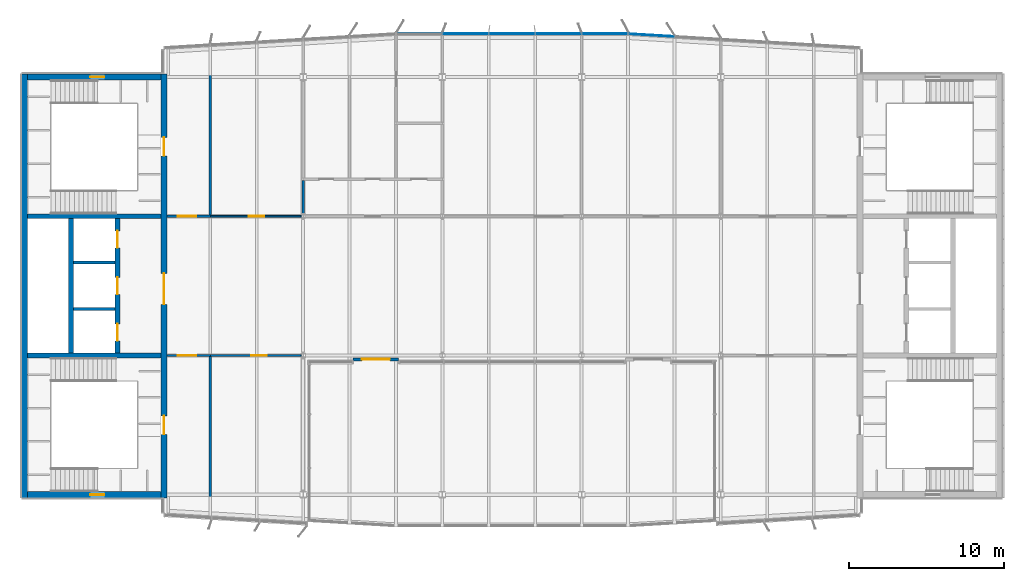
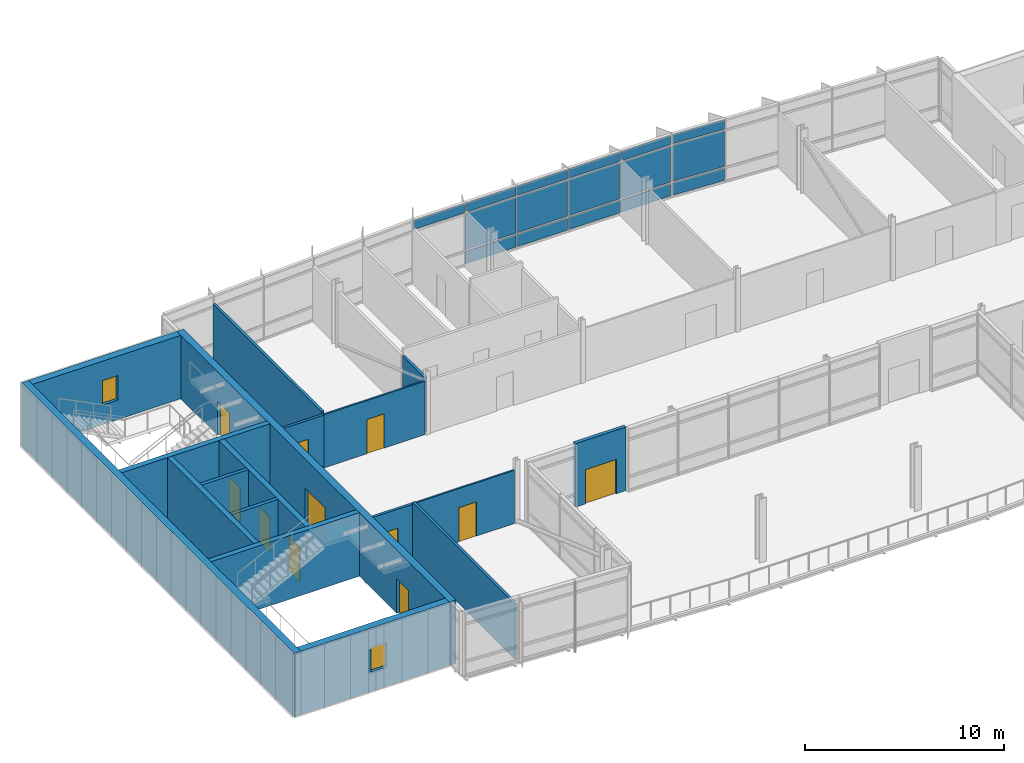
# One storey, part 12 of 19: 18 walls, 16 plates, 11 doors, 2 windows, 13 openings, 2 elements without a shape of their own.
"""IFC4 building model written with IfcOpenShell, lengths in metres."""

from ifc_helpers import new_model, si_unit, direction, frame, frame_2d, origin, origin_2d, place, context, subcontext, project, spatial, rectangle, extrude, material, layer, layer_set, type_object, element, fill, aggregate, save


model = new_model("IFC4")

# Units and contexts
model_context = context("Model", 3, precision=1e-05, world=origin(), true_north=direction((0.0, 1.0)))
body_context = subcontext(model_context, "Body", "Model", "MODEL_VIEW")
ifc_project = project(units=[si_unit("LENGTHUNIT", "METRE"), si_unit("AREAUNIT", "SQUARE_METRE"), si_unit("VOLUMEUNIT", "CUBIC_METRE"), si_unit("PLANEANGLEUNIT", "RADIAN"), si_unit("MASSUNIT", "GRAM", prefix="KILO")], contexts=[model_context])

# Site, building, storey
site_placement = place(None, origin())
site = spatial("IfcSite", under=ifc_project, at=site_placement, CompositionType="ELEMENT")
building_placement = place(site_placement, origin())
building = spatial("IfcBuilding", under=site, at=building_placement, Name="Azimuth Sports and Learning Centre", CompositionType="ELEMENT")
storey_placement = place(building_placement, frame((0.0, 0.0, 67.5)))
storey = spatial("IfcBuildingStorey", under=building, at=storey_placement, Name="L15", CompositionType="ELEMENT", Elevation=67.5)

# Curtain wall, plates
ifc_material_1 = material(Name="Aluminium and glass", Category="aluminium")
curtain_wall_type = type_object("IfcCurtainWallType", Name="Curtain wall tower north 180", PredefinedType="NOTDEFINED", material=ifc_material_1)
curtain_wall_1_placement = place(storey_placement, origin())
curtain_wall_1 = element("IfcCurtainWall", 1, at=curtain_wall_1_placement, inside=storey, type_object=curtain_wall_type, Name="Curtain wall CW15-011", PredefinedType="NOTDEFINED")
ifc_material_2 = material(Name="Insulated aluminium panel", Category="aluminium")
ifc_layer_1 = layer(ifc_material_2, 0.050048828125)
ifc_layer_set_1 = layer_set([ifc_layer_1], Name="Insulated aluminium panel")
plate_type_1 = type_object("IfcPlateType", Name="Spandrel panel 50 mm", PredefinedType="CURTAIN_PANEL", material=ifc_layer_set_1)
plate_1_placement = place(storey_placement, frame((94.520263671875, 119.698974609375, 0.10009765625), z_axis=(0.0, 0.0, 1.0), x_axis=(-0.998204863401, 0.059891991812, 0.0)))
plate_1 = element("IfcPlate", 2, at=plate_1_placement, type_object=plate_type_1, Name="CW15-011 panel 5.1", PredefinedType="CURTAIN_PANEL", context=body_context, shape_type="SweptSolid", body=[
    extrude(rectangle(XDim=2.915283203125, YDim=0.050048828125, at=origin_2d()), origin(), (0.0, 0.0, 1.0), 0.75),
])
plate_2_placement = place(storey_placement, frame((94.520263671875, 119.698974609375, 3.25), z_axis=(0.0, 0.0, 1.0), x_axis=(-0.998204863401, 0.059891991812, 0.0)))
plate_2 = element("IfcPlate", 3, at=plate_2_placement, type_object=plate_type_1, Name="CW15-011 panel 5.3", PredefinedType="CURTAIN_PANEL", context=body_context, shape_type="SweptSolid", body=[
    extrude(rectangle(XDim=2.915283203125, YDim=0.050048828125, at=origin_2d()), origin(), (0.0, 0.0, 1.0), 0.550048828125),
])

curtain_wall_2_placement = place(storey_placement, origin())
curtain_wall_2 = element("IfcCurtainWall", 4, at=curtain_wall_2_placement, inside=storey, type_object=curtain_wall_type, Name="Curtain wall CW15-012", PredefinedType="NOTDEFINED")
plate_3_placement = place(storey_placement, frame((91.48779296875, 119.7900390625, 0.10009765625), z_axis=(0.0, 0.0, 1.0), x_axis=(-1.0, 0.0, 0.0)))
plate_3 = element("IfcPlate", 5, at=plate_3_placement, type_object=plate_type_1, Name="CW15-012 panel 1.1", PredefinedType="CURTAIN_PANEL", context=body_context, shape_type="SweptSolid", body=[
    extrude(rectangle(XDim=2.915283203125, YDim=0.050048828125, at=origin_2d()), origin(), (0.0, 0.0, 1.0), 0.75),
])
plate_4_placement = place(storey_placement, frame((91.48779296875, 119.7900390625, 3.25), z_axis=(0.0, 0.0, 1.0), x_axis=(-1.0, 0.0, 0.0)))
plate_4 = element("IfcPlate", 6, at=plate_4_placement, type_object=plate_type_1, Name="CW15-012 panel 1.3", PredefinedType="CURTAIN_PANEL", context=body_context, shape_type="SweptSolid", body=[
    extrude(rectangle(XDim=2.915283203125, YDim=0.050048828125, at=origin_2d()), origin(), (0.0, 0.0, 1.0), 0.550048828125),
])
plate_5_placement = place(storey_placement, frame((88.5, 119.7900390625, 0.10009765625), z_axis=(0.0, 0.0, 1.0), x_axis=(-1.0, 0.0, 0.0)))
plate_5 = element("IfcPlate", 7, at=plate_5_placement, type_object=plate_type_1, Name="CW15-012 panel 2.1", PredefinedType="CURTAIN_PANEL", context=body_context, shape_type="SweptSolid", body=[
    extrude(rectangle(XDim=2.93994140625, YDim=0.050048828125, at=origin_2d()), origin(), (0.0, 0.0, 1.0), 0.75),
])
plate_6_placement = place(storey_placement, frame((88.5, 119.7900390625, 3.25), z_axis=(0.0, 0.0, 1.0), x_axis=(-1.0, 0.0, 0.0)))
plate_6 = element("IfcPlate", 8, at=plate_6_placement, type_object=plate_type_1, Name="CW15-012 panel 2.3", PredefinedType="CURTAIN_PANEL", context=body_context, shape_type="SweptSolid", body=[
    extrude(rectangle(XDim=2.93994140625, YDim=0.050048828125, at=origin_2d()), origin(), (0.0, 0.0, 1.0), 0.550048828125),
])
plate_7_placement = place(storey_placement, frame((85.5, 119.7900390625, 0.10009765625), z_axis=(0.0, 0.0, 1.0), x_axis=(-1.0, 0.0, 0.0)))
plate_7 = element("IfcPlate", 9, at=plate_7_placement, type_object=plate_type_1, Name="CW15-012 panel 3.1", PredefinedType="CURTAIN_PANEL", context=body_context, shape_type="SweptSolid", body=[
    extrude(rectangle(XDim=2.93994140625, YDim=0.050048828125, at=origin_2d()), origin(), (0.0, 0.0, 1.0), 0.75),
])
plate_8_placement = place(storey_placement, frame((85.5, 119.7900390625, 3.25), z_axis=(0.0, 0.0, 1.0), x_axis=(-1.0, 0.0, 0.0)))
plate_8 = element("IfcPlate", 10, at=plate_8_placement, type_object=plate_type_1, Name="CW15-012 panel 3.3", PredefinedType="CURTAIN_PANEL", context=body_context, shape_type="SweptSolid", body=[
    extrude(rectangle(XDim=2.93994140625, YDim=0.050048828125, at=origin_2d()), origin(), (0.0, 0.0, 1.0), 0.550048828125),
])
plate_9_placement = place(storey_placement, frame((82.5, 119.7900390625, 0.10009765625), z_axis=(0.0, 0.0, 1.0), x_axis=(-1.0, 0.0, 0.0)))
plate_9 = element("IfcPlate", 11, at=plate_9_placement, type_object=plate_type_1, Name="CW15-012 panel 4.1", PredefinedType="CURTAIN_PANEL", context=body_context, shape_type="SweptSolid", body=[
    extrude(rectangle(XDim=2.93994140625, YDim=0.050048828125, at=origin_2d()), origin(), (0.0, 0.0, 1.0), 0.75),
])
plate_10_placement = place(storey_placement, frame((82.5, 119.7900390625, 3.25), z_axis=(0.0, 0.0, 1.0), x_axis=(-1.0, 0.0, 0.0)))
plate_10 = element("IfcPlate", 12, at=plate_10_placement, type_object=plate_type_1, Name="CW15-012 panel 4.3", PredefinedType="CURTAIN_PANEL", context=body_context, shape_type="SweptSolid", body=[
    extrude(rectangle(XDim=2.93994140625, YDim=0.050048828125, at=origin_2d()), origin(), (0.0, 0.0, 1.0), 0.550048828125),
])
plate_11_placement = place(storey_placement, frame((79.514892578125, 119.7900390625, 3.25), z_axis=(0.0, 0.0, 1.0), x_axis=(-1.0, 0.0, 0.0)))
plate_11 = element("IfcPlate", 13, at=plate_11_placement, type_object=plate_type_1, Name="CW15-012 panel 5.3", PredefinedType="CURTAIN_PANEL", context=body_context, shape_type="SweptSolid", body=[
    extrude(rectangle(XDim=2.909912109375, YDim=0.050048828125, at=origin_2d()), origin(), (0.0, 0.0, 1.0), 0.550048828125),
])

# Plate
ifc_material_3 = material(Name="Glass", Category="glass")
ifc_layer_2 = layer(ifc_material_3, 0.031982421875)
ifc_layer_set_2 = layer_set([ifc_layer_2], Name="Glass")
plate_type_2 = type_object("IfcPlateType", Name="Vision glass 32 mm", PredefinedType="CURTAIN_PANEL", material=ifc_layer_set_2)
plate_12_placement = place(storey_placement, frame((94.520263671875, 119.698974609375, 0.9501953125), z_axis=(0.0, 0.0, 1.0), x_axis=(-0.998204863401, 0.059891991812, 0.0)))
plate_12 = element("IfcPlate", 14, at=plate_12_placement, type_object=plate_type_2, Name="CW15-011 panel 5.2", PredefinedType="CURTAIN_PANEL", context=body_context, shape_type="SweptSolid", body=[
    extrude(rectangle(XDim=2.915283203125, YDim=0.031982421875, at=origin_2d()), origin(), (0.0, 0.0, 1.0), 2.199951171875),
])

aggregate(curtain_wall_1, [plate_1, plate_12, plate_2])

plate_13_placement = place(storey_placement, frame((91.48779296875, 119.7900390625, 0.9501953125), z_axis=(0.0, 0.0, 1.0), x_axis=(-1.0, 0.0, 0.0)))
plate_13 = element("IfcPlate", 15, at=plate_13_placement, type_object=plate_type_2, Name="CW15-012 panel 1.2", PredefinedType="CURTAIN_PANEL", context=body_context, shape_type="SweptSolid", body=[
    extrude(rectangle(XDim=2.915283203125, YDim=0.031982421875, at=origin_2d()), origin(), (0.0, 0.0, 1.0), 2.199951171875),
])

plate_14_placement = place(storey_placement, frame((88.5, 119.7900390625, 0.9501953125), z_axis=(0.0, 0.0, 1.0), x_axis=(-1.0, 0.0, 0.0)))
plate_14 = element("IfcPlate", 16, at=plate_14_placement, type_object=plate_type_2, Name="CW15-012 panel 2.2", PredefinedType="CURTAIN_PANEL", context=body_context, shape_type="SweptSolid", body=[
    extrude(rectangle(XDim=2.93994140625, YDim=0.031982421875, at=origin_2d()), origin(), (0.0, 0.0, 1.0), 2.199951171875),
])

plate_15_placement = place(storey_placement, frame((85.5, 119.7900390625, 0.9501953125), z_axis=(0.0, 0.0, 1.0), x_axis=(-1.0, 0.0, 0.0)))
plate_15 = element("IfcPlate", 17, at=plate_15_placement, type_object=plate_type_2, Name="CW15-012 panel 3.2", PredefinedType="CURTAIN_PANEL", context=body_context, shape_type="SweptSolid", body=[
    extrude(rectangle(XDim=2.93994140625, YDim=0.031982421875, at=origin_2d()), origin(), (0.0, 0.0, 1.0), 2.199951171875),
])

plate_16_placement = place(storey_placement, frame((82.5, 119.7900390625, 0.9501953125), z_axis=(0.0, 0.0, 1.0), x_axis=(-1.0, 0.0, 0.0)))
plate_16 = element("IfcPlate", 18, at=plate_16_placement, type_object=plate_type_2, Name="CW15-012 panel 4.2", PredefinedType="CURTAIN_PANEL", context=body_context, shape_type="SweptSolid", body=[
    extrude(rectangle(XDim=2.93994140625, YDim=0.031982421875, at=origin_2d()), origin(), (0.0, 0.0, 1.0), 2.199951171875),
])

aggregate(curtain_wall_2, [plate_3, plate_13, plate_4, plate_5, plate_14, plate_6, plate_7, plate_15, plate_8, plate_9, plate_16, plate_10, plate_11])

# Walls
ifc_material_4 = material(Name="Dense masonry blockwork", Category="masonry")
ifc_layer_3 = layer(ifc_material_4, 0.199951171875)
ifc_layer_set_3 = layer_set([ifc_layer_3], Name="Dense masonry blockwork")
wall_type_1 = type_object("IfcWallType", Name="Blockwork wall 200 EI 120", PredefinedType="SOLIDWALL", material=ifc_layer_set_3)
for number, where, z_axis, x_axis, name in (
    (19, (57.14990234375, 102.0, 0.0), (0.0, 0.0, 1.0), (1.0, 0.0, 0.0), "SD-W-1-L15"),
    (20, (57.14990234375, 105.0, 0.0), (0.0, 0.0, 1.0), (1.0, 0.0, 0.0), "SD-W-2-L15"),
):
    element("IfcWall", number, at=place(storey_placement, frame(where, z_axis=z_axis, x_axis=x_axis)), inside=storey, type_object=wall_type_1, Name=name, PredefinedType="SOLIDWALL", context=body_context, shape_type="SweptSolid", body=[
        extrude(rectangle(XDim=2.7001953125, YDim=0.199951171875, at=frame_2d((1.35009765625, 0.0))), origin(), (0.0, 0.0, 1.0), 3.89990234375),
    ])

# Wall, opening, door
ifc_material_5 = material(Name="Insulated cladding wall")
ifc_layer_4 = layer(ifc_material_5, 0.199951171875)
ifc_layer_set_4 = layer_set([ifc_layer_4], Name="Insulated cladding wall")
wall_type_2 = type_object("IfcWallType", Name="Entrance wall 200", PredefinedType="SOLIDWALL", material=ifc_layer_set_4)
wall_1_placement = place(storey_placement, frame((75.2333984375, 98.75, 0.0), z_axis=(0.0, 0.0, 1.0), x_axis=(1.0, 0.0, 0.0)))
wall_1 = element("IfcWall", 21, at=wall_1_placement, inside=storey, type_object=wall_type_2, Name="Entrance wall S-COURT-B L15", PredefinedType="SOLIDWALL", context=body_context, shape_type="SweptSolid", body=[
    extrude(rectangle(XDim=2.933349609375, YDim=0.199951171875, at=frame_2d((1.466796875, 0.0))), origin(), (0.0, 0.0, 1.0), 3.89990234375),
])
opening_1_placement = place(wall_1_placement, frame((0.566650390625, 0.0, 0.0)))
opening_1 = element("IfcOpeningElement", 22, at=opening_1_placement, cuts=wall_1, Name="Opening D15-001", PredefinedType="OPENING", context=body_context, shape_type="SweptSolid", body=[
    extrude(rectangle(XDim=1.800048828125, YDim=2.10009765625, at=frame_2d((0.89990234375, 1.050048828125))), frame((0.0, 0.11083984375, 0.0), z_axis=(0.0, -1.0, 0.0), x_axis=(1.0, 0.0, 0.0)), (0.0, 0.0, 1.0), 0.221923828125),
])
ifc_material_6 = material(Name="Aluminium and glass", Category="aluminium")
door_type_1 = type_object("IfcDoorType", Name="Exterior door double leaf 1800x2100", OperationType="DOUBLE_DOOR_DOUBLE_SWING", PredefinedType="DOOR", material=ifc_material_6)
door_1_placement = place(opening_1_placement, frame((1.800048828125, 0.0, 0.0), z_axis=(0.0, 0.0, 1.0), x_axis=(-1.0, 0.0, 0.0)))
door_1 = element("IfcDoor", 23, at=door_1_placement, inside=storey, type_object=door_type_1, Name="Exterior door D15-001", OperationType="DOUBLE_DOOR_DOUBLE_SWING", OverallHeight=2.10009765625, OverallWidth=1.800048828125, PredefinedType="DOOR", context=body_context, shape_type="SweptSolid", body=[
    extrude(rectangle(XDim=1.800048828125, YDim=2.10009765625, at=frame_2d((0.89990234375, 1.050048828125))), frame((0.0, 0.02490234375, 0.0), z_axis=(0.0, -1.0, 0.0), x_axis=(1.0, 0.0, 0.0)), (0.0, 0.0, 1.0), 0.050048828125),
])
fill(opening_1, door_1)

ifc_material_7 = material(Name="Gypsum board on steel studs", Category="steel")
ifc_layer_5 = layer(ifc_material_7, 0.10009765625)
ifc_layer_set_5 = layer_set([ifc_layer_5], Name="Gypsum board on steel studs")
wall_type_3 = type_object("IfcWallType", Name="Partition 100 EI 30", PredefinedType="PARTITIONING", material=ifc_layer_set_5)
wall_2_placement = place(storey_placement, frame((66.0, 99.0, 0.0), z_axis=(0.0, 0.0, 1.0), x_axis=(1.0, 0.0, 0.0)))
wall_2 = element("IfcWall", 24, at=wall_2_placement, inside=storey, type_object=wall_type_3, Name="Partition Sixth Form Common Room 15.07 / Learning Street", PredefinedType="PARTITIONING", context=body_context, shape_type="SweptSolid", body=[
    extrude(rectangle(XDim=5.8701171875, YDim=0.10009765625, at=frame_2d((2.93505859375, 0.0))), origin(), (0.0, 0.0, 1.0), 3.27001953125),
])
opening_2_placement = place(wall_2_placement, frame((2.64990234375, 0.0, 0.0)))
opening_2 = element("IfcOpeningElement", 25, at=opening_2_placement, cuts=wall_2, Name="Opening D15-017", PredefinedType="OPENING", context=body_context, shape_type="SweptSolid", body=[
    extrude(rectangle(XDim=1.0, YDim=2.10009765625, at=frame_2d((0.5, 1.050048828125))), frame((0.0, 0.06103515625, 0.0), z_axis=(0.0, -1.0, 0.0), x_axis=(1.0, 0.0, 0.0)), (0.0, 0.0, 1.0), 0.1220703125),
])
ifc_material_8 = material(Name="Painted steel door set", Category="steel")
door_type_2 = type_object("IfcDoorType", Name="Fire door FD30S 1000 x 2100", OperationType="NOTDEFINED", PredefinedType="DOOR", material=ifc_material_8)
door_2_placement = place(opening_2_placement, frame((1.0, 0.0, 0.0), z_axis=(0.0, 0.0, 1.0), x_axis=(-1.0, 0.0, 0.0)))
door_2 = element("IfcDoor", 26, at=door_2_placement, inside=storey, type_object=door_type_2, Name="Door Sixth Form Common Room 15.07 / Learning Street", OperationType="SINGLE_SWING_LEFT", OverallHeight=2.10009765625, OverallWidth=1.0, PredefinedType="DOOR", context=body_context, shape_type="SweptSolid", body=[
    extrude(rectangle(XDim=1.0, YDim=2.10009765625, at=frame_2d((0.5, 1.050048828125))), frame((0.0, 0.02490234375, 0.0), z_axis=(0.0, -1.0, 0.0), x_axis=(1.0, 0.0, 0.0)), (0.0, 0.0, 1.0), 0.050048828125),
])
fill(opening_2, door_2)

wall_3_placement = place(storey_placement, frame((66.0, 108.0, 0.0), z_axis=(0.0, 0.0, 1.0), x_axis=(1.0, 0.0, 0.0)))
wall_3 = element("IfcWall", 27, at=wall_3_placement, inside=storey, type_object=wall_type_3, Name="Partition Classroom 15.09 / Learning Street", PredefinedType="PARTITIONING", context=body_context, shape_type="SweptSolid", body=[
    extrude(rectangle(XDim=5.8701171875, YDim=0.10009765625, at=frame_2d((2.93505859375, 0.0))), origin(), (0.0, 0.0, 1.0), 3.27001953125),
])
opening_3_placement = place(wall_3_placement, frame((2.5, 0.0, 0.0)))
opening_3 = element("IfcOpeningElement", 28, at=opening_3_placement, cuts=wall_3, Name="Opening D15-019", PredefinedType="OPENING", context=body_context, shape_type="SweptSolid", body=[
    extrude(rectangle(XDim=1.0, YDim=2.10009765625, at=frame_2d((0.5, 1.050048828125))), frame((0.0, 0.06103515625, 0.0), z_axis=(0.0, -1.0, 0.0), x_axis=(1.0, 0.0, 0.0)), (0.0, 0.0, 1.0), 0.1220703125),
])
door_3_placement = place(opening_3_placement, origin())
door_3 = element("IfcDoor", 29, at=door_3_placement, inside=storey, type_object=door_type_2, Name="Door Classroom 15.09 / Learning Street", OperationType="SINGLE_SWING_RIGHT", OverallHeight=2.10009765625, OverallWidth=1.0, PredefinedType="DOOR", context=body_context, shape_type="SweptSolid", body=[
    extrude(rectangle(XDim=1.0, YDim=2.10009765625, at=frame_2d((0.5, 1.050048828125))), frame((0.0, 0.02490234375, 0.0), z_axis=(0.0, -1.0, 0.0), x_axis=(1.0, 0.0, 0.0)), (0.0, 0.0, 1.0), 0.050048828125),
])
fill(opening_3, door_3)

ifc_material_9 = material(Name="Lightweight blockwork, rendered", Category="masonry")
ifc_layer_6 = layer(ifc_material_9, 0.14990234375)
ifc_layer_set_6 = layer_set([ifc_layer_6], Name="Lightweight blockwork, rendered")
wall_type_4 = type_object("IfcWallType", Name="Partition 150 EI 60", PredefinedType="PARTITIONING", material=ifc_layer_set_6)
wall_4_placement = place(storey_placement, frame((63.199951171875, 99.0, 0.0), z_axis=(0.0, 0.0, 1.0), x_axis=(1.0, 0.0, 0.0)))
wall_4 = element("IfcWall", 30, at=wall_4_placement, inside=storey, type_object=wall_type_4, Name="Partition Stair Lobby W1 15.01 / Learning Street", PredefinedType="PARTITIONING", context=body_context, shape_type="SweptSolid", body=[
    extrude(rectangle(XDim=2.800048828125, YDim=0.14990234375, at=frame_2d((1.39990234375, 0.0))), origin(), (0.0, 0.0, 1.0), 3.27001953125),
])
opening_4_placement = place(wall_4_placement, frame((0.699951171875, 0.0, 0.0)))
opening_4 = element("IfcOpeningElement", 31, at=opening_4_placement, cuts=wall_4, Name="Opening D15-013", PredefinedType="OPENING", context=body_context, shape_type="SweptSolid", body=[
    extrude(rectangle(XDim=1.199951171875, YDim=2.10009765625, at=frame_2d((0.60009765625, 1.050048828125))), frame((0.0, 0.0859375, 0.0), z_axis=(0.0, -1.0, 0.0), x_axis=(1.0, 0.0, 0.0)), (0.0, 0.0, 1.0), 0.171875),
])
ifc_material_10 = material(Name="Painted steel door set", Category="steel")
door_type_3 = type_object("IfcDoorType", Name="Fire door FD60 1200 x 2100", OperationType="NOTDEFINED", PredefinedType="DOOR", material=ifc_material_10)
door_4_placement = place(opening_4_placement, frame((1.199951171875, 0.0, 0.0), z_axis=(0.0, 0.0, 1.0), x_axis=(-1.0, 0.0, 0.0)))
door_4 = element("IfcDoor", 32, at=door_4_placement, inside=storey, type_object=door_type_3, Name="Door Stair Lobby W1 15.01 / Learning Street", OperationType="SINGLE_SWING_RIGHT", OverallHeight=2.10009765625, OverallWidth=1.199951171875, PredefinedType="DOOR", context=body_context, shape_type="SweptSolid", body=[
    extrude(rectangle(XDim=1.199951171875, YDim=2.10009765625, at=frame_2d((0.60009765625, 1.050048828125))), frame((0.0, 0.02490234375, 0.0), z_axis=(0.0, -1.0, 0.0), x_axis=(1.0, 0.0, 0.0)), (0.0, 0.0, 1.0), 0.050048828125),
])
fill(opening_4, door_4)

wall_5_placement = place(storey_placement, frame((63.199951171875, 108.0, 0.0), z_axis=(0.0, 0.0, 1.0), x_axis=(1.0, 0.0, 0.0)))
wall_5 = element("IfcWall", 33, at=wall_5_placement, inside=storey, type_object=wall_type_4, Name="Partition Stair Lobby W2 15.02 / Learning Street", PredefinedType="PARTITIONING", context=body_context, shape_type="SweptSolid", body=[
    extrude(rectangle(XDim=2.800048828125, YDim=0.14990234375, at=frame_2d((1.39990234375, 0.0))), origin(), (0.0, 0.0, 1.0), 3.27001953125),
])
opening_5_placement = place(wall_5_placement, frame((0.699951171875, 0.0, 0.0)))
opening_5 = element("IfcOpeningElement", 34, at=opening_5_placement, cuts=wall_5, Name="Opening D15-014", PredefinedType="OPENING", context=body_context, shape_type="SweptSolid", body=[
    extrude(rectangle(XDim=1.199951171875, YDim=2.10009765625, at=frame_2d((0.60009765625, 1.050048828125))), frame((0.0, 0.0859375, 0.0), z_axis=(0.0, -1.0, 0.0), x_axis=(1.0, 0.0, 0.0)), (0.0, 0.0, 1.0), 0.171875),
])
door_5_placement = place(opening_5_placement, origin())
door_5 = element("IfcDoor", 35, at=door_5_placement, inside=storey, type_object=door_type_3, Name="Door Stair Lobby W2 15.02 / Learning Street", OperationType="SINGLE_SWING_LEFT", OverallHeight=2.10009765625, OverallWidth=1.199951171875, PredefinedType="DOOR", context=body_context, shape_type="SweptSolid", body=[
    extrude(rectangle(XDim=1.199951171875, YDim=2.10009765625, at=frame_2d((0.60009765625, 1.050048828125))), frame((0.0, 0.02490234375, 0.0), z_axis=(0.0, -1.0, 0.0), x_axis=(1.0, 0.0, 0.0)), (0.0, 0.0, 1.0), 0.050048828125),
])
fill(opening_5, door_5)

# Walls
wall_6_placement = place(storey_placement, frame((66.0, 88.6201171875, 0.0), z_axis=(0.0, 0.0, 1.0), x_axis=(0.0, 1.0, 0.0)))
element("IfcWall", 36, at=wall_6_placement, inside=storey, type_object=wall_type_4, Name="Partition Stair Lobby W1 15.01 / Sixth Form Common Room 15.07", PredefinedType="PARTITIONING", context=body_context, shape_type="SweptSolid", body=[
    extrude(rectangle(XDim=10.304931640625, YDim=0.14990234375, at=frame_2d((5.15234375, 0.0))), origin(), (0.0, 0.0, 1.0), 3.409912109375),
])
wall_7_placement = place(storey_placement, frame((66.0, 108.074951171875, 0.0), z_axis=(0.0, 0.0, 1.0), x_axis=(0.0, 1.0, 0.0)))
element("IfcWall", 37, at=wall_7_placement, inside=storey, type_object=wall_type_4, Name="Partition Stair Lobby W2 15.02 / Classroom 15.09", PredefinedType="PARTITIONING", context=body_context, shape_type="SweptSolid", body=[
    extrude(rectangle(XDim=10.905029296875, YDim=0.14990234375, at=frame_2d((5.45263671875, 0.0))), origin(), (0.0, 0.0, 1.0), 3.409912109375),
])
wall_8_placement = place(storey_placement, frame((72.0, 108.1298828125, 0.0), z_axis=(0.0, 0.0, 1.0), x_axis=(0.0, 1.0, 0.0)))
element("IfcWall", 38, at=wall_8_placement, inside=storey, type_object=wall_type_4, Name="Partition Classroom 15.09 / WC Lobby 15.10", PredefinedType="PARTITIONING", context=body_context, shape_type="SweptSolid", body=[
    extrude(rectangle(XDim=2.195068359375, YDim=0.14990234375, at=frame_2d((1.09765625, 0.0))), origin(), (0.0, 0.0, 1.0), 3.3701171875),
])
ifc_material_11 = material(Name="Concrete C40/50", Category="concrete")
ifc_layer_7 = layer(ifc_material_11, 0.300048828125)
ifc_layer_set_7 = layer_set([ifc_layer_7], Name="Concrete C40/50")
wall_type_5 = type_object("IfcWallType", Name="RC core wall 300", PredefinedType="SHEAR", material=ifc_layer_set_7)
for number, where, z_axis, x_axis, name in (
    (39, (54.199951171875, 99.0, 0.0), (0.0, 0.0, 1.0), (1.0, 0.0, 0.0), "Core wall W D1 L15"),
    (40, (54.199951171875, 108.0, 0.0), (0.0, 0.0, 1.0), (1.0, 0.0, 0.0), "Core wall W D2 L15"),
):
    element("IfcWall", number, at=place(storey_placement, frame(where, z_axis=z_axis, x_axis=x_axis)), inside=storey, type_object=wall_type_5, Name=name, PredefinedType="SHEAR", context=body_context, shape_type="SweptSolid", body=[
        extrude(rectangle(XDim=8.60009765625, YDim=0.300048828125, at=frame_2d((4.300048828125, 0.0))), origin(), (0.0, 0.0, 1.0), 3.89990234375),
    ])
wall_9_placement = place(storey_placement, frame((57.0, 99.14990234375, 0.0), z_axis=(0.0, 0.0, 1.0), x_axis=(0.0, 1.0, 0.0)))
element("IfcWall", 41, at=wall_9_placement, inside=storey, type_object=wall_type_5, Name="Core wall W LB1 L15", PredefinedType="SHEAR", context=body_context, shape_type="SweptSolid", body=[
    extrude(rectangle(XDim=8.7001953125, YDim=0.300048828125, at=frame_2d((4.35009765625, 0.0))), origin(), (0.0, 0.0, 1.0), 3.89990234375),
])

# Wall, openings, doors
wall_10_placement = place(storey_placement, frame((60.0, 99.14990234375, 0.0), z_axis=(0.0, 0.0, 1.0), x_axis=(0.0, 1.0, 0.0)))
wall_10 = element("IfcWall", 42, at=wall_10_placement, inside=storey, type_object=wall_type_5, Name="Core wall W LB2 L15", PredefinedType="SHEAR", context=body_context, shape_type="SweptSolid", body=[
    extrude(rectangle(XDim=8.7001953125, YDim=0.300048828125, at=frame_2d((4.35009765625, 0.0))), origin(), (0.0, 0.0, 1.0), 3.89990234375),
])
opening_6_placement = place(wall_10_placement, frame((0.800048828125, 0.0, 0.0)))
opening_6 = element("IfcOpeningElement", 43, at=opening_6_placement, cuts=wall_10, Name="Opening D15-007", PredefinedType="OPENING", context=body_context, shape_type="SweptSolid", body=[
    extrude(rectangle(XDim=1.10009765625, YDim=2.10009765625, at=frame_2d((0.550048828125, 1.050048828125))), frame((0.0, 0.1611328125, 0.0), z_axis=(0.0, -1.0, 0.0), x_axis=(1.0, 0.0, 0.0)), (0.0, 0.0, 1.0), 0.322021484375),
])
opening_7_placement = place(wall_10_placement, frame((3.800048828125, 0.0, 0.0)))
opening_7 = element("IfcOpeningElement", 44, at=opening_7_placement, cuts=wall_10, Name="Opening D15-008", PredefinedType="OPENING", context=body_context, shape_type="SweptSolid", body=[
    extrude(rectangle(XDim=1.10009765625, YDim=2.10009765625, at=frame_2d((0.550048828125, 1.050048828125))), frame((0.0, 0.1611328125, 0.0), z_axis=(0.0, -1.0, 0.0), x_axis=(1.0, 0.0, 0.0)), (0.0, 0.0, 1.0), 0.322021484375),
])
opening_8_placement = place(wall_10_placement, frame((6.800048828125, 0.0, 0.0)))
opening_8 = element("IfcOpeningElement", 45, at=opening_8_placement, cuts=wall_10, Name="Opening D15-009", PredefinedType="OPENING", context=body_context, shape_type="SweptSolid", body=[
    extrude(rectangle(XDim=1.10009765625, YDim=2.10009765625, at=frame_2d((0.550048828125, 1.050048828125))), frame((0.0, 0.1611328125, 0.0), z_axis=(0.0, -1.0, 0.0), x_axis=(1.0, 0.0, 0.0)), (0.0, 0.0, 1.0), 0.322021484375),
])
ifc_material_12 = material(Name="Stainless steel", Category="steel")
door_type_4 = type_object("IfcDoorType", Name="Lift landing door 1100 x 2100", OperationType="DOUBLE_DOOR_SLIDING", PredefinedType="DOOR", material=ifc_material_12)
door_6_placement = place(opening_6_placement, origin())
door_6 = element("IfcDoor", 46, at=door_6_placement, inside=storey, type_object=door_type_4, Name="Landing door LW1 L15", OperationType="DOUBLE_DOOR_SLIDING", OverallHeight=2.10009765625, OverallWidth=1.10009765625, PredefinedType="DOOR", context=body_context, shape_type="SweptSolid", body=[
    extrude(rectangle(XDim=1.10009765625, YDim=2.10009765625, at=frame_2d((0.550048828125, 1.050048828125))), frame((0.0, 0.02490234375, 0.0), z_axis=(0.0, -1.0, 0.0), x_axis=(1.0, 0.0, 0.0)), (0.0, 0.0, 1.0), 0.050048828125),
])
fill(opening_6, door_6)
door_7_placement = place(opening_7_placement, origin())
door_7 = element("IfcDoor", 47, at=door_7_placement, inside=storey, type_object=door_type_4, Name="Landing door LW2 L15", OperationType="DOUBLE_DOOR_SLIDING", OverallHeight=2.10009765625, OverallWidth=1.10009765625, PredefinedType="DOOR", context=body_context, shape_type="SweptSolid", body=[
    extrude(rectangle(XDim=1.10009765625, YDim=2.10009765625, at=frame_2d((0.550048828125, 1.050048828125))), frame((0.0, 0.02490234375, 0.0), z_axis=(0.0, -1.0, 0.0), x_axis=(1.0, 0.0, 0.0)), (0.0, 0.0, 1.0), 0.050048828125),
])
fill(opening_7, door_7)
door_8_placement = place(opening_8_placement, origin())
door_8 = element("IfcDoor", 48, at=door_8_placement, inside=storey, type_object=door_type_4, Name="Landing door LW3 L15", OperationType="DOUBLE_DOOR_SLIDING", OverallHeight=2.10009765625, OverallWidth=1.10009765625, PredefinedType="DOOR", context=body_context, shape_type="SweptSolid", body=[
    extrude(rectangle(XDim=1.10009765625, YDim=2.10009765625, at=frame_2d((0.550048828125, 1.050048828125))), frame((0.0, 0.02490234375, 0.0), z_axis=(0.0, -1.0, 0.0), x_axis=(1.0, 0.0, 0.0)), (0.0, 0.0, 1.0), 0.050048828125),
])
fill(opening_8, door_8)

ifc_material_13 = material(Name="Concrete C40/50", Category="concrete")
ifc_layer_8 = layer(ifc_material_13, 0.39990234375)
ifc_layer_set_8 = layer_set([ifc_layer_8], Name="Concrete C40/50")
wall_type_6 = type_object("IfcWallType", Name="RC core wall 400", PredefinedType="SHEAR", material=ifc_layer_set_8)
wall_11_placement = place(storey_placement, frame((63.0, 89.800048828125, 0.0), z_axis=(0.0, 0.0, 1.0), x_axis=(0.0, 1.0, 0.0)))
wall_11 = element("IfcWall", 49, at=wall_11_placement, inside=storey, type_object=wall_type_6, Name="Core wall W E L15", PredefinedType="SHEAR", context=body_context, shape_type="SweptSolid", body=[
    extrude(rectangle(XDim=27.39990234375, YDim=0.39990234375, at=frame_2d((13.699951171875, 0.0))), origin(), (0.0, 0.0, 1.0), 3.89990234375),
])
opening_9_placement = place(wall_11_placement, frame((4.10009765625, 0.0, 0.0)))
opening_9 = element("IfcOpeningElement", 50, at=opening_9_placement, cuts=wall_11, Name="Opening D15-003", PredefinedType="OPENING", context=body_context, shape_type="SweptSolid", body=[
    extrude(rectangle(XDim=1.199951171875, YDim=2.10009765625, at=frame_2d((0.60009765625, 1.050048828125))), frame((0.0, 0.2109375, 0.0), z_axis=(0.0, -1.0, 0.0), x_axis=(1.0, 0.0, 0.0)), (0.0, 0.0, 1.0), 0.421875),
])
opening_10_placement = place(wall_11_placement, frame((22.10009765625, 0.0, 0.0)))
opening_10 = element("IfcOpeningElement", 51, at=opening_10_placement, cuts=wall_11, Name="Opening D15-004", PredefinedType="OPENING", context=body_context, shape_type="SweptSolid", body=[
    extrude(rectangle(XDim=1.199951171875, YDim=2.10009765625, at=frame_2d((0.60009765625, 1.050048828125))), frame((0.0, 0.2109375, 0.0), z_axis=(0.0, -1.0, 0.0), x_axis=(1.0, 0.0, 0.0)), (0.0, 0.0, 1.0), 0.421875),
])
opening_11_placement = place(wall_11_placement, frame((12.5, 0.0, 0.0)))
opening_11 = element("IfcOpeningElement", 52, at=opening_11_placement, cuts=wall_11, Name="Opening D15-028", PredefinedType="OPENING", context=body_context, shape_type="SweptSolid", body=[
    extrude(rectangle(XDim=2.0, YDim=2.10009765625, at=frame_2d((1.0, 1.050048828125))), frame((0.0, 0.2109375, 0.0), z_axis=(0.0, -1.0, 0.0), x_axis=(1.0, 0.0, 0.0)), (0.0, 0.0, 1.0), 0.421875),
])
ifc_material_14 = material(Name="Painted steel door set", Category="steel")
door_type_5 = type_object("IfcDoorType", Name="Fire door FD120 2000 x 2100 double leaf", OperationType="DOUBLE_DOOR_SINGLE_SWING", PredefinedType="DOOR", material=ifc_material_14)
door_9_placement = place(opening_11_placement, origin())
door_9 = element("IfcDoor", 53, at=door_9_placement, inside=storey, type_object=door_type_5, Name="Door Lift Lobby W 15.05 / Learning Street", OperationType="DOUBLE_DOOR_SINGLE_SWING", OverallHeight=2.10009765625, OverallWidth=2.0, PredefinedType="DOOR", context=body_context, shape_type="SweptSolid", body=[
    extrude(rectangle(XDim=2.0, YDim=2.10009765625, at=frame_2d((1.0, 1.050048828125))), frame((0.0, 0.02490234375, 0.0), z_axis=(0.0, -1.0, 0.0), x_axis=(1.0, 0.0, 0.0)), (0.0, 0.0, 1.0), 0.050048828125),
])
fill(opening_11, door_9)
ifc_material_15 = material(Name="Steel", Category="steel")
door_type_6 = type_object("IfcDoorType", Name="Stair fire door 1200 x 2100", OperationType="NOTDEFINED", PredefinedType="DOOR", material=ifc_material_15)
door_10_placement = place(opening_9_placement, origin())
door_10 = element("IfcDoor", 54, at=door_10_placement, inside=storey, type_object=door_type_6, Name="Stair door W1 L15", OperationType="SINGLE_SWING_LEFT", OverallHeight=2.10009765625, OverallWidth=1.199951171875, PredefinedType="DOOR", context=body_context, shape_type="SweptSolid", body=[
    extrude(rectangle(XDim=1.199951171875, YDim=2.10009765625, at=frame_2d((0.60009765625, 1.050048828125))), frame((0.0, 0.02490234375, 0.0), z_axis=(0.0, -1.0, 0.0), x_axis=(1.0, 0.0, 0.0)), (0.0, 0.0, 1.0), 0.050048828125),
])
fill(opening_9, door_10)
door_11_placement = place(opening_10_placement, origin())
door_11 = element("IfcDoor", 55, at=door_11_placement, inside=storey, type_object=door_type_6, Name="Stair door W2 L15", OperationType="SINGLE_SWING_LEFT", OverallHeight=2.10009765625, OverallWidth=1.199951171875, PredefinedType="DOOR", context=body_context, shape_type="SweptSolid", body=[
    extrude(rectangle(XDim=1.199951171875, YDim=2.10009765625, at=frame_2d((0.60009765625, 1.050048828125))), frame((0.0, 0.02490234375, 0.0), z_axis=(0.0, -1.0, 0.0), x_axis=(1.0, 0.0, 0.0)), (0.0, 0.0, 1.0), 0.050048828125),
])
fill(opening_10, door_11)

# Wall, opening, window
ifc_material_16 = material(Name="Concrete C40/50", Category="concrete")
ifc_layer_9 = layer(ifc_material_16, 0.39990234375)
ifc_layer_set_9 = layer_set([ifc_layer_9], Name="Concrete C40/50")
wall_type_7 = type_object("IfcWallType", Name="RC external core wall 400", PredefinedType="SHEAR", material=ifc_layer_set_9)
wall_12_placement = place(storey_placement, frame((54.199951171875, 90.0, 0.0), z_axis=(0.0, 0.0, 1.0), x_axis=(1.0, 0.0, 0.0)))
wall_12 = element("IfcWall", 56, at=wall_12_placement, inside=storey, type_object=wall_type_7, Name="Core wall W S L15", PredefinedType="SHEAR", context=body_context, shape_type="SweptSolid", body=[
    extrude(rectangle(XDim=8.60009765625, YDim=0.39990234375, at=frame_2d((4.300048828125, 0.0))), origin(), (0.0, 0.0, 1.0), 3.89990234375),
])
opening_12_placement = place(wall_12_placement, frame((4.050048828125, 0.0, 1.199951171875)))
opening_12 = element("IfcOpeningElement", 57, at=opening_12_placement, cuts=wall_12, Name="Opening W15-001", PredefinedType="OPENING", context=body_context, shape_type="SweptSolid", body=[
    extrude(rectangle(XDim=0.89990234375, YDim=1.5, at=frame_2d((0.449951171875, 0.75))), frame((0.0, 0.2109375, 0.0), z_axis=(0.0, -1.0, 0.0), x_axis=(1.0, 0.0, 0.0)), (0.0, 0.0, 1.0), 0.421875),
])
ifc_material_17 = material(Name="Aluminium and glass", Category="aluminium")
window_type = type_object("IfcWindowType", Name="Stair window tower core 900x1500", PartitioningType="SINGLE_PANEL", PredefinedType="WINDOW", material=ifc_material_17)
window_1_placement = place(opening_12_placement, origin())
window_1 = element("IfcWindow", 58, at=window_1_placement, inside=storey, type_object=window_type, Name="Window W15-001", OverallHeight=1.5, OverallWidth=0.89990234375, PartitioningType="SINGLE_PANEL", PredefinedType="WINDOW", context=body_context, shape_type="SweptSolid", body=[
    extrude(rectangle(XDim=0.89990234375, YDim=1.5, at=frame_2d((0.449951171875, 0.75))), frame((0.0, 0.030029296875, 0.0), z_axis=(0.0, -1.0, 0.0), x_axis=(1.0, 0.0, 0.0)), (0.0, 0.0, 1.0), 0.06005859375),
])
fill(opening_12, window_1)

wall_13_placement = place(storey_placement, frame((54.199951171875, 117.0, 0.0), z_axis=(0.0, 0.0, 1.0), x_axis=(1.0, 0.0, 0.0)))
wall_13 = element("IfcWall", 59, at=wall_13_placement, inside=storey, type_object=wall_type_7, Name="Core wall W N L15", PredefinedType="SHEAR", context=body_context, shape_type="SweptSolid", body=[
    extrude(rectangle(XDim=8.60009765625, YDim=0.39990234375, at=frame_2d((4.300048828125, 0.0))), origin(), (0.0, 0.0, 1.0), 3.89990234375),
])
opening_13_placement = place(wall_13_placement, frame((4.050048828125, 0.0, 1.199951171875)))
opening_13 = element("IfcOpeningElement", 60, at=opening_13_placement, cuts=wall_13, Name="Opening W15-004", PredefinedType="OPENING", context=body_context, shape_type="SweptSolid", body=[
    extrude(rectangle(XDim=0.89990234375, YDim=1.5, at=frame_2d((0.449951171875, 0.75))), frame((0.0, 0.2109375, 0.0), z_axis=(0.0, -1.0, 0.0), x_axis=(1.0, 0.0, 0.0)), (0.0, 0.0, 1.0), 0.421875),
])
window_2_placement = place(opening_13_placement, origin())
window_2 = element("IfcWindow", 61, at=window_2_placement, inside=storey, type_object=window_type, Name="Window W15-004", OverallHeight=1.5, OverallWidth=0.89990234375, PartitioningType="SINGLE_PANEL", PredefinedType="WINDOW", context=body_context, shape_type="SweptSolid", body=[
    extrude(rectangle(XDim=0.89990234375, YDim=1.5, at=frame_2d((0.449951171875, 0.75))), frame((0.0, 0.030029296875, 0.0), z_axis=(0.0, -1.0, 0.0), x_axis=(1.0, 0.0, 0.0)), (0.0, 0.0, 1.0), 0.06005859375),
])
fill(opening_13, window_2)

# Wall
wall_14_placement = place(storey_placement, frame((54.0, 89.800048828125, 0.0), z_axis=(0.0, 0.0, 1.0), x_axis=(0.0, 1.0, 0.0)))
element("IfcWall", 62, at=wall_14_placement, inside=storey, type_object=wall_type_7, Name="Core wall W W L15", PredefinedType="SHEAR", context=body_context, shape_type="SweptSolid", body=[
    extrude(rectangle(XDim=27.39990234375, YDim=0.39990234375, at=frame_2d((13.699951171875, 0.0))), origin(), (0.0, 0.0, 1.0), 3.89990234375),
])

save(model, "model.ifc")
